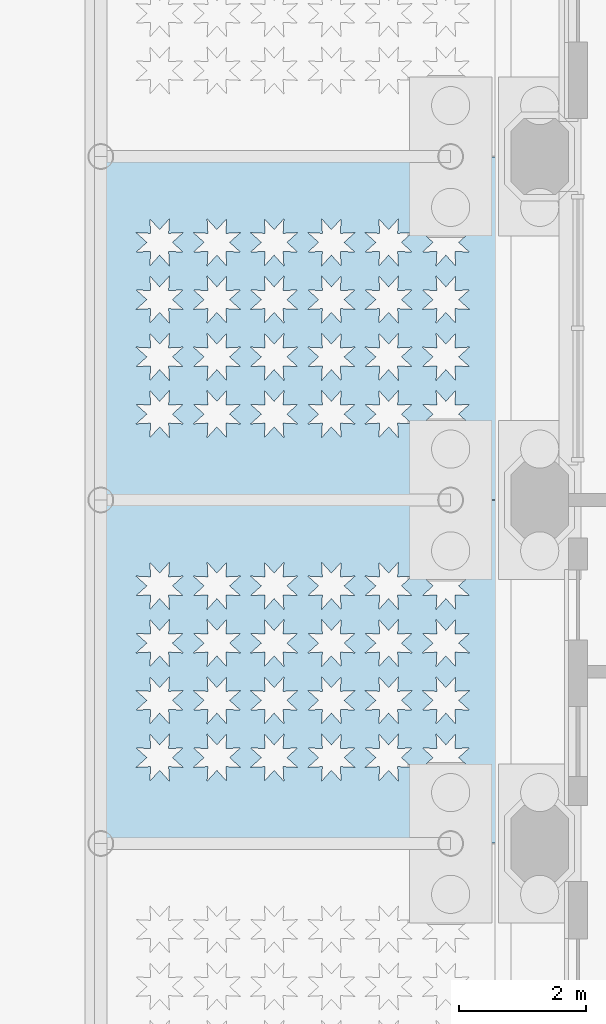
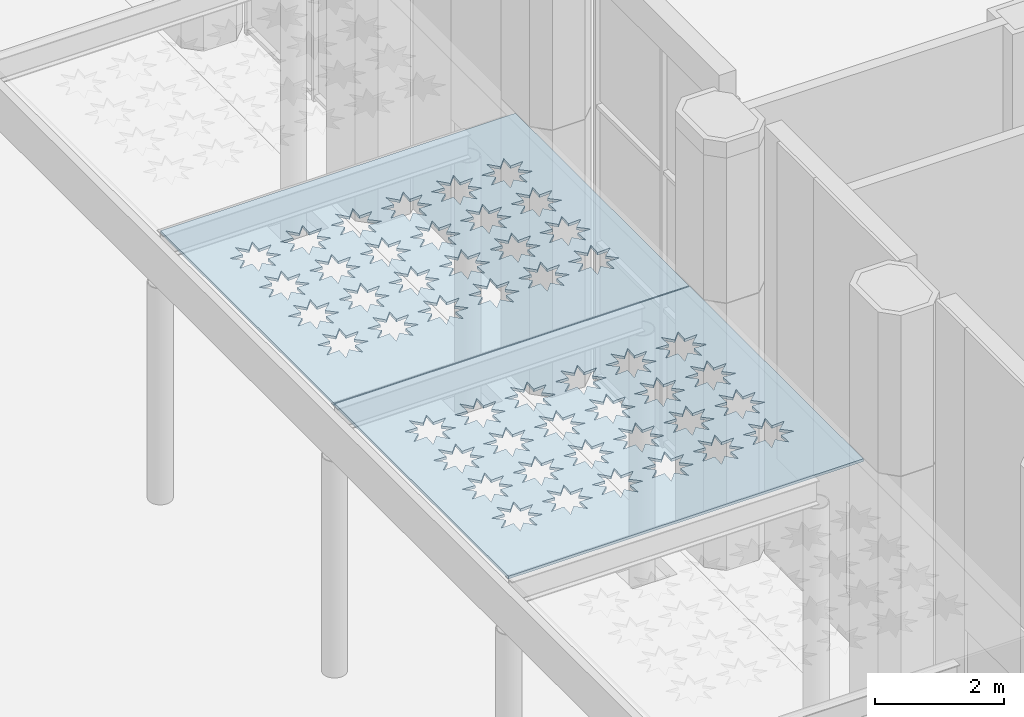
# One storey, part 23 of 54: 2 plates.
"""IFC4 building model written with IfcOpenShell, lengths in metres."""

import ifcopenshell
import ifcopenshell.guid

model = None  # the IFC model being written
_history = None  # IfcOwnerHistory: only IFC2X3 demands one
_inside = {}  # id of a spatial element -> (the spatial element, [elements in it])
_under = {}  # id of a project, library or spatial element -> (it, [spatial elements below it])
_declared = {}  # id of a project -> (the project, [libraries it declares])
_typed = {}  # id of a type object -> (the type object, [elements of that type])
_made_of = {}  # id of a material, layer set ... -> (it, [elements and type objects made of it])


def new_model(schema):
    """Start an empty IFC model of exactly this schema.

    Asked for "IFC4X3", IfcOpenShell would pick the latest addendum, in which some entities
    have other attributes; the version numbers below select the first issue.
    IFC2X3 requires an IfcOwnerHistory on every rooted entity: one is made here for all.
    """
    global model, _history
    if schema == "IFC4X3":
        model = ifcopenshell.file(schema_version=(4, 3, 0, 0))
    else:
        model = ifcopenshell.file(schema=schema)
    _inside.clear()
    _under.clear()
    _declared.clear()
    _typed.clear()
    _made_of.clear()
    _history = None
    if model.schema == "IFC2X3":
        org = make("IfcOrganization", Name="unknown")
        user = make(
            "IfcPersonAndOrganization",
            ThePerson=make("IfcPerson", FamilyName="unknown"),
            TheOrganization=org,
        )
        app = make(
            "IfcApplication",
            ApplicationDeveloper=org,
            Version="unknown",
            ApplicationFullName="unknown",
            ApplicationIdentifier="unknown",
        )
        _history = make(
            "IfcOwnerHistory",
            OwningUser=user,
            OwningApplication=app,
            ChangeAction="ADDED",
            CreationDate=0,
        )
    return model


def make(cls, **values):
    """One entity of the class cls with the attributes given. An attribute that is None is left unset."""
    return model.create_entity(
        cls, **{name: value for name, value in values.items() if value is not None}
    )


def rooted(cls, **values):
    """An entity with a GlobalId (a new one), such as an element, a storey or a relation."""
    return make(cls, GlobalId=ifcopenshell.guid.new(), OwnerHistory=_history, **values)


def si_unit(unit_type, name, prefix=None):
    """IfcSIUnit, for example si_unit("LENGTHUNIT", "METRE", prefix="MILLI")."""
    return make("IfcSIUnit", UnitType=unit_type, Prefix=prefix, Name=name)


def assignment(units):
    """IfcUnitAssignment: the units of a project."""
    return None if units is None else make("IfcUnitAssignment", Units=units)


def point(xyz):
    """IfcCartesianPoint."""
    return None if xyz is None else make("IfcCartesianPoint", Coordinates=xyz)


def direction(xyz):
    """IfcDirection."""
    return None if xyz is None else make("IfcDirection", DirectionRatios=xyz)


def frame(location, z_axis=None, x_axis=None):
    """IfcAxis2Placement3D, a coordinate frame: its origin and axes. An axis left out is left unset."""
    return make(
        "IfcAxis2Placement3D",
        Location=point(location),
        Axis=direction(z_axis),
        RefDirection=direction(x_axis),
    )


def origin():
    """The frame at (0, 0, 0) with its axes left unset."""
    return frame((0.0, 0.0, 0.0))


def place(relative_to, where):
    """IfcLocalPlacement: puts the frame where relative to a parent placement (None: the world)."""
    return make(
        "IfcLocalPlacement", PlacementRelTo=relative_to, RelativePlacement=where
    )


def context(
    kind, dimensions, precision=None, world=None, true_north=None, identifier=None
):
    """IfcGeometricRepresentationContext, for example the 3D "Model" context."""
    return make(
        "IfcGeometricRepresentationContext",
        ContextIdentifier=identifier,
        ContextType=kind,
        CoordinateSpaceDimension=dimensions,
        Precision=precision,
        WorldCoordinateSystem=world,
        TrueNorth=true_north,
    )


def subcontext(parent, identifier, kind, view, scale=None):
    """IfcGeometricRepresentationSubContext, for example "Body" below "Model"."""
    return make(
        "IfcGeometricRepresentationSubContext",
        ContextIdentifier=identifier,
        ContextType=kind,
        ParentContext=parent,
        TargetScale=scale,
        TargetView=view,
    )


def project(units=None, contexts=None):
    """IfcProject with its units and contexts."""
    return rooted(
        "IfcProject",
        Name="project",
        RepresentationContexts=contexts,
        UnitsInContext=assignment(units),
    )


def spatial(cls, under=None, at=None, **own):
    """A site, building, storey or space (cls), placed at a placement, below another one or the project."""
    s = rooted(cls, ObjectPlacement=at, **own)
    if under is not None:
        _under.setdefault(under.id(), (under, []))[1].append(s)
    return s


def polyline(points):
    """IfcPolyline through the points."""
    return make("IfcPolyline", Points=[point(p) for p in points])


def outline(outer, holes=None, kind="AREA"):
    """IfcArbitraryClosedProfileDef: a profile drawn as a closed curve; with holes, ...WithVoids."""
    if holes is None:
        return make("IfcArbitraryClosedProfileDef", ProfileType=kind, OuterCurve=outer)
    return make(
        "IfcArbitraryProfileDefWithVoids",
        ProfileType=kind,
        OuterCurve=outer,
        InnerCurves=holes,
    )


def extrude(swept, where, along, depth):
    """IfcExtrudedAreaSolid: the profile swept, set in the frame where, extruded along a direction by depth."""
    return make(
        "IfcExtrudedAreaSolid",
        SweptArea=swept,
        Position=where,
        ExtrudedDirection=direction(along),
        Depth=depth,
    )


def shape(context_of_items, identifier, shape_type, items):
    """IfcShapeRepresentation: the items that make up one representation, for example the "Body"."""
    return make(
        "IfcShapeRepresentation",
        ContextOfItems=context_of_items,
        RepresentationIdentifier=identifier,
        RepresentationType=shape_type,
        Items=items,
    )


def material(Name=None, Category=None):
    """IfcMaterial."""
    return make("IfcMaterial", Name=Name, Category=Category)


def layer(
    of_material, thickness, ventilated=None, Name=None, Category=None, Priority=None
):
    """IfcMaterialLayer: one layer of a wall or slab, of a material (None: an air gap)."""
    return make(
        "IfcMaterialLayer",
        Material=of_material,
        LayerThickness=thickness,
        IsVentilated=ventilated,
        Name=Name,
        Category=Category,
        Priority=Priority,
    )


def layer_set(layers, Name=None):
    """IfcMaterialLayerSet."""
    return make("IfcMaterialLayerSet", MaterialLayers=layers, LayerSetName=Name)


def made_of(thing, what):
    """Note that an element or type object is made of a material, layer set ...; save() writes the relation."""
    if what is not None:
        _made_of.setdefault(what.id(), (what, []))[1].append(thing)
    return thing


def type_object(cls, material=None, **own):
    """A type object (cls), such as IfcWallType, which elements share."""
    return made_of(rooted(cls, **own), material)


def element(
    cls,
    number,
    at=None,
    inside=None,
    cuts=None,
    type_object=None,
    material=None,
    context=None,
    identifier="Body",
    shape_type=None,
    held_by="IfcProductDefinitionShape",
    body=None,
    shapes=None,
    **own,
):
    """One element of the class cls, such as IfcWall. Its Tag is "e" and its number.

    at: its placement. inside: the storey or other place that contains it. cuts: it is an
    opening in that element (IfcRelVoidsElement). A single representation is given by context,
    identifier, shape_type and body (its items); several are given by shapes. held_by: the class
    of the entity that holds the representations. save() writes the other relations.
    """
    e = rooted(cls, Tag="e%d" % number, ObjectPlacement=at, **own)
    if body is not None:
        shapes = [shape(context, identifier, shape_type, body)]
    if shapes is not None:
        e.Representation = make(held_by, Representations=shapes)
    if inside is not None:
        _inside.setdefault(inside.id(), (inside, []))[1].append(e)
    if cuts is not None:
        rooted(
            "IfcRelVoidsElement", RelatingBuildingElement=cuts, RelatedOpeningElement=e
        )
    if type_object is not None:
        _typed.setdefault(type_object.id(), (type_object, []))[1].append(e)
    return made_of(e, material)


def aggregate(whole, parts):
    """IfcRelAggregates: a whole, such as a stair, and the parts it consists of."""
    return rooted("IfcRelAggregates", RelatingObject=whole, RelatedObjects=parts)


def save(model, path):
    """Write the relations noted so far, then the file.

    IfcRelAggregates (storeys below a building ...), IfcRelContainedInSpatialStructure (elements
    in a storey), IfcRelDefinesByType, IfcRelAssociatesMaterial and IfcRelDeclares: one each for
    every whole, place, type object, material and project.
    """
    for whole, parts in _under.values():
        aggregate(whole, parts)
    for where, things in _inside.values():
        rooted(
            "IfcRelContainedInSpatialStructure",
            RelatedElements=things,
            RelatingStructure=where,
        )
    for kind, things in _typed.values():
        rooted("IfcRelDefinesByType", RelatedObjects=things, RelatingType=kind)
    for what, things in _made_of.values():
        rooted("IfcRelAssociatesMaterial", RelatedObjects=things, RelatingMaterial=what)
    for by, libraries in _declared.values():
        rooted("IfcRelDeclares", RelatingContext=by, RelatedDefinitions=libraries)
    model.write(path)


model = new_model("IFC4")

# Units and contexts
model_context = context("Model", 3, precision=1e-05, world=origin(), true_north=direction((0.0, 1.0)))
body_context = subcontext(model_context, "Body", "Model", "MODEL_VIEW")
ifc_project = project(units=[si_unit("LENGTHUNIT", "METRE"), si_unit("AREAUNIT", "SQUARE_METRE"), si_unit("VOLUMEUNIT", "CUBIC_METRE"), si_unit("PLANEANGLEUNIT", "RADIAN"), si_unit("MASSUNIT", "GRAM", prefix="KILO")], contexts=[model_context])

# Site, building, storey
site_placement = place(None, origin())
site = spatial("IfcSite", under=ifc_project, at=site_placement, CompositionType="ELEMENT")
building_placement = place(site_placement, origin())
building = spatial("IfcBuilding", under=site, at=building_placement, Name="Tabaq Tower and Sports Hall", CompositionType="ELEMENT")
storey_placement = place(building_placement, origin())
storey = spatial("IfcBuildingStorey", under=building, at=storey_placement, Name="L00", CompositionType="ELEMENT", Elevation=0.0)

# Plates
ifc_material = material(Name="Stainless steel grade 1.4401 pierced panel", Category="steel")
ifc_layer = layer(ifc_material, 0.050048828125)
ifc_layer_set = layer_set([ifc_layer], Name="SCREEN PIERCED STAR PANEL 50")
plate_type = type_object("IfcPlateType", Name="SCREEN PIERCED STAR PANEL 50", PredefinedType="USERDEFINED", material=ifc_layer_set)
plate_1_placement = place(storey_placement, frame((0.0, 0.0, 5.0)))
element("IfcPlate", 1, at=plate_1_placement, inside=storey, type_object=plate_type, Name="Plaza canopy screen 2", ObjectType="SCREEN", PredefinedType="USERDEFINED", context=body_context, shape_type="SweptSolid", body=[
    extrude(outline(polyline([(57.89990234375, 5.409912109375), (64.25, 5.409912109375), (64.25, 10.7900390625), (57.89990234375, 10.7900390625), (57.89990234375, 5.409912109375)]), holes=[polyline([(59.02490234375, 6.75), (59.194580078125, 6.596923828125), (58.96630859375, 6.608642578125), (58.97802734375, 6.38037109375), (58.824951171875, 6.550048828125), (58.671875, 6.38037109375), (58.68359375, 6.608642578125), (58.455322265625, 6.596923828125), (58.625, 6.75), (58.455322265625, 6.903076171875), (58.68359375, 6.891357421875), (58.671875, 7.11962890625), (58.824951171875, 6.949951171875), (58.97802734375, 7.11962890625), (58.96630859375, 6.891357421875), (59.194580078125, 6.903076171875), (59.02490234375, 6.75)]), polyline([(59.02490234375, 7.64990234375), (59.194580078125, 7.496826171875), (58.96630859375, 7.508544921875), (58.97802734375, 7.280517578125), (58.824951171875, 7.449951171875), (58.671875, 7.280517578125), (58.68359375, 7.508544921875), (58.455322265625, 7.496826171875), (58.625, 7.64990234375), (58.455322265625, 7.802978515625), (58.68359375, 7.79150390625), (58.671875, 8.01953125), (58.824951171875, 7.85009765625), (58.97802734375, 8.01953125), (58.96630859375, 7.79150390625), (59.194580078125, 7.802978515625), (59.02490234375, 7.64990234375)]), polyline([(59.02490234375, 8.550048828125), (59.194580078125, 8.39697265625), (58.96630859375, 8.40869140625), (58.97802734375, 8.180419921875), (58.824951171875, 8.35009765625), (58.671875, 8.180419921875), (58.68359375, 8.40869140625), (58.455322265625, 8.39697265625), (58.625, 8.550048828125), (58.455322265625, 8.703125), (58.68359375, 8.69140625), (58.671875, 8.919677734375), (58.824951171875, 8.75), (58.97802734375, 8.919677734375), (58.96630859375, 8.69140625), (59.194580078125, 8.703125), (59.02490234375, 8.550048828125)]), polyline([(59.02490234375, 9.449951171875), (59.194580078125, 9.296875), (58.96630859375, 9.30859375), (58.97802734375, 9.080322265625), (58.824951171875, 9.25), (58.671875, 9.080322265625), (58.68359375, 9.30859375), (58.455322265625, 9.296875), (58.625, 9.449951171875), (58.455322265625, 9.60302734375), (58.68359375, 9.59130859375), (58.671875, 9.819580078125), (58.824951171875, 9.64990234375), (58.97802734375, 9.819580078125), (58.96630859375, 9.59130859375), (59.194580078125, 9.60302734375), (59.02490234375, 9.449951171875)]), polyline([(59.925048828125, 6.75), (60.094482421875, 6.596923828125), (59.866455078125, 6.608642578125), (59.878173828125, 6.38037109375), (59.72509765625, 6.550048828125), (59.572021484375, 6.38037109375), (59.58349609375, 6.608642578125), (59.35546875, 6.596923828125), (59.52490234375, 6.75), (59.35546875, 6.903076171875), (59.58349609375, 6.891357421875), (59.572021484375, 7.11962890625), (59.72509765625, 6.949951171875), (59.878173828125, 7.11962890625), (59.866455078125, 6.891357421875), (60.094482421875, 6.903076171875), (59.925048828125, 6.75)]), polyline([(59.925048828125, 7.64990234375), (60.094482421875, 7.496826171875), (59.866455078125, 7.508544921875), (59.878173828125, 7.280517578125), (59.72509765625, 7.449951171875), (59.572021484375, 7.280517578125), (59.58349609375, 7.508544921875), (59.35546875, 7.496826171875), (59.52490234375, 7.64990234375), (59.35546875, 7.802978515625), (59.58349609375, 7.79150390625), (59.572021484375, 8.01953125), (59.72509765625, 7.85009765625), (59.878173828125, 8.01953125), (59.866455078125, 7.79150390625), (60.094482421875, 7.802978515625), (59.925048828125, 7.64990234375)]), polyline([(59.925048828125, 8.550048828125), (60.094482421875, 8.39697265625), (59.866455078125, 8.40869140625), (59.878173828125, 8.180419921875), (59.72509765625, 8.35009765625), (59.572021484375, 8.180419921875), (59.58349609375, 8.40869140625), (59.35546875, 8.39697265625), (59.52490234375, 8.550048828125), (59.35546875, 8.703125), (59.58349609375, 8.69140625), (59.572021484375, 8.919677734375), (59.72509765625, 8.75), (59.878173828125, 8.919677734375), (59.866455078125, 8.69140625), (60.094482421875, 8.703125), (59.925048828125, 8.550048828125)]), polyline([(59.925048828125, 9.449951171875), (60.094482421875, 9.296875), (59.866455078125, 9.30859375), (59.878173828125, 9.080322265625), (59.72509765625, 9.25), (59.572021484375, 9.080322265625), (59.58349609375, 9.30859375), (59.35546875, 9.296875), (59.52490234375, 9.449951171875), (59.35546875, 9.60302734375), (59.58349609375, 9.59130859375), (59.572021484375, 9.819580078125), (59.72509765625, 9.64990234375), (59.878173828125, 9.819580078125), (59.866455078125, 9.59130859375), (60.094482421875, 9.60302734375), (59.925048828125, 9.449951171875)]), polyline([(60.824951171875, 6.75), (60.99462890625, 6.596923828125), (60.766357421875, 6.608642578125), (60.778076171875, 6.38037109375), (60.625, 6.550048828125), (60.471923828125, 6.38037109375), (60.483642578125, 6.608642578125), (60.25537109375, 6.596923828125), (60.425048828125, 6.75), (60.25537109375, 6.903076171875), (60.483642578125, 6.891357421875), (60.471923828125, 7.11962890625), (60.625, 6.949951171875), (60.778076171875, 7.11962890625), (60.766357421875, 6.891357421875), (60.99462890625, 6.903076171875), (60.824951171875, 6.75)]), polyline([(60.824951171875, 7.64990234375), (60.99462890625, 7.496826171875), (60.766357421875, 7.508544921875), (60.778076171875, 7.280517578125), (60.625, 7.449951171875), (60.471923828125, 7.280517578125), (60.483642578125, 7.508544921875), (60.25537109375, 7.496826171875), (60.425048828125, 7.64990234375), (60.25537109375, 7.802978515625), (60.483642578125, 7.79150390625), (60.471923828125, 8.01953125), (60.625, 7.85009765625), (60.778076171875, 8.01953125), (60.766357421875, 7.79150390625), (60.99462890625, 7.802978515625), (60.824951171875, 7.64990234375)]), polyline([(60.824951171875, 8.550048828125), (60.99462890625, 8.39697265625), (60.766357421875, 8.40869140625), (60.778076171875, 8.180419921875), (60.625, 8.35009765625), (60.471923828125, 8.180419921875), (60.483642578125, 8.40869140625), (60.25537109375, 8.39697265625), (60.425048828125, 8.550048828125), (60.25537109375, 8.703125), (60.483642578125, 8.69140625), (60.471923828125, 8.919677734375), (60.625, 8.75), (60.778076171875, 8.919677734375), (60.766357421875, 8.69140625), (60.99462890625, 8.703125), (60.824951171875, 8.550048828125)]), polyline([(60.824951171875, 9.449951171875), (60.99462890625, 9.296875), (60.766357421875, 9.30859375), (60.778076171875, 9.080322265625), (60.625, 9.25), (60.471923828125, 9.080322265625), (60.483642578125, 9.30859375), (60.25537109375, 9.296875), (60.425048828125, 9.449951171875), (60.25537109375, 9.60302734375), (60.483642578125, 9.59130859375), (60.471923828125, 9.819580078125), (60.625, 9.64990234375), (60.778076171875, 9.819580078125), (60.766357421875, 9.59130859375), (60.99462890625, 9.60302734375), (60.824951171875, 9.449951171875)]), polyline([(61.72509765625, 6.75), (61.89453125, 6.596923828125), (61.66650390625, 6.608642578125), (61.677978515625, 6.38037109375), (61.52490234375, 6.550048828125), (61.371826171875, 6.38037109375), (61.383544921875, 6.608642578125), (61.155517578125, 6.596923828125), (61.324951171875, 6.75), (61.155517578125, 6.903076171875), (61.383544921875, 6.891357421875), (61.371826171875, 7.11962890625), (61.52490234375, 6.949951171875), (61.677978515625, 7.11962890625), (61.66650390625, 6.891357421875), (61.89453125, 6.903076171875), (61.72509765625, 6.75)]), polyline([(61.72509765625, 7.64990234375), (61.89453125, 7.496826171875), (61.66650390625, 7.508544921875), (61.677978515625, 7.280517578125), (61.52490234375, 7.449951171875), (61.371826171875, 7.280517578125), (61.383544921875, 7.508544921875), (61.155517578125, 7.496826171875), (61.324951171875, 7.64990234375), (61.155517578125, 7.802978515625), (61.383544921875, 7.79150390625), (61.371826171875, 8.01953125), (61.52490234375, 7.85009765625), (61.677978515625, 8.01953125), (61.66650390625, 7.79150390625), (61.89453125, 7.802978515625), (61.72509765625, 7.64990234375)]), polyline([(61.72509765625, 8.550048828125), (61.89453125, 8.39697265625), (61.66650390625, 8.40869140625), (61.677978515625, 8.180419921875), (61.52490234375, 8.35009765625), (61.371826171875, 8.180419921875), (61.383544921875, 8.40869140625), (61.155517578125, 8.39697265625), (61.324951171875, 8.550048828125), (61.155517578125, 8.703125), (61.383544921875, 8.69140625), (61.371826171875, 8.919677734375), (61.52490234375, 8.75), (61.677978515625, 8.919677734375), (61.66650390625, 8.69140625), (61.89453125, 8.703125), (61.72509765625, 8.550048828125)]), polyline([(61.72509765625, 9.449951171875), (61.89453125, 9.296875), (61.66650390625, 9.30859375), (61.677978515625, 9.080322265625), (61.52490234375, 9.25), (61.371826171875, 9.080322265625), (61.383544921875, 9.30859375), (61.155517578125, 9.296875), (61.324951171875, 9.449951171875), (61.155517578125, 9.60302734375), (61.383544921875, 9.59130859375), (61.371826171875, 9.819580078125), (61.52490234375, 9.64990234375), (61.677978515625, 9.819580078125), (61.66650390625, 9.59130859375), (61.89453125, 9.60302734375), (61.72509765625, 9.449951171875)]), polyline([(62.625, 6.75), (62.794677734375, 6.596923828125), (62.56640625, 6.608642578125), (62.578125, 6.38037109375), (62.425048828125, 6.550048828125), (62.27197265625, 6.38037109375), (62.28369140625, 6.608642578125), (62.055419921875, 6.596923828125), (62.22509765625, 6.75), (62.055419921875, 6.903076171875), (62.28369140625, 6.891357421875), (62.27197265625, 7.11962890625), (62.425048828125, 6.949951171875), (62.578125, 7.11962890625), (62.56640625, 6.891357421875), (62.794677734375, 6.903076171875), (62.625, 6.75)]), polyline([(62.625, 7.64990234375), (62.794677734375, 7.496826171875), (62.56640625, 7.508544921875), (62.578125, 7.280517578125), (62.425048828125, 7.449951171875), (62.27197265625, 7.280517578125), (62.28369140625, 7.508544921875), (62.055419921875, 7.496826171875), (62.22509765625, 7.64990234375), (62.055419921875, 7.802978515625), (62.28369140625, 7.79150390625), (62.27197265625, 8.01953125), (62.425048828125, 7.85009765625), (62.578125, 8.01953125), (62.56640625, 7.79150390625), (62.794677734375, 7.802978515625), (62.625, 7.64990234375)]), polyline([(62.625, 8.550048828125), (62.794677734375, 8.39697265625), (62.56640625, 8.40869140625), (62.578125, 8.180419921875), (62.425048828125, 8.35009765625), (62.27197265625, 8.180419921875), (62.28369140625, 8.40869140625), (62.055419921875, 8.39697265625), (62.22509765625, 8.550048828125), (62.055419921875, 8.703125), (62.28369140625, 8.69140625), (62.27197265625, 8.919677734375), (62.425048828125, 8.75), (62.578125, 8.919677734375), (62.56640625, 8.69140625), (62.794677734375, 8.703125), (62.625, 8.550048828125)]), polyline([(62.625, 9.449951171875), (62.794677734375, 9.296875), (62.56640625, 9.30859375), (62.578125, 9.080322265625), (62.425048828125, 9.25), (62.27197265625, 9.080322265625), (62.28369140625, 9.30859375), (62.055419921875, 9.296875), (62.22509765625, 9.449951171875), (62.055419921875, 9.60302734375), (62.28369140625, 9.59130859375), (62.27197265625, 9.819580078125), (62.425048828125, 9.64990234375), (62.578125, 9.819580078125), (62.56640625, 9.59130859375), (62.794677734375, 9.60302734375), (62.625, 9.449951171875)]), polyline([(63.52490234375, 6.75), (63.694580078125, 6.596923828125), (63.46630859375, 6.608642578125), (63.47802734375, 6.38037109375), (63.324951171875, 6.550048828125), (63.171875, 6.38037109375), (63.18359375, 6.608642578125), (62.955322265625, 6.596923828125), (63.125, 6.75), (62.955322265625, 6.903076171875), (63.18359375, 6.891357421875), (63.171875, 7.11962890625), (63.324951171875, 6.949951171875), (63.47802734375, 7.11962890625), (63.46630859375, 6.891357421875), (63.694580078125, 6.903076171875), (63.52490234375, 6.75)]), polyline([(63.52490234375, 7.64990234375), (63.694580078125, 7.496826171875), (63.46630859375, 7.508544921875), (63.47802734375, 7.280517578125), (63.324951171875, 7.449951171875), (63.171875, 7.280517578125), (63.18359375, 7.508544921875), (62.955322265625, 7.496826171875), (63.125, 7.64990234375), (62.955322265625, 7.802978515625), (63.18359375, 7.79150390625), (63.171875, 8.01953125), (63.324951171875, 7.85009765625), (63.47802734375, 8.01953125), (63.46630859375, 7.79150390625), (63.694580078125, 7.802978515625), (63.52490234375, 7.64990234375)]), polyline([(63.52490234375, 8.550048828125), (63.694580078125, 8.39697265625), (63.46630859375, 8.40869140625), (63.47802734375, 8.180419921875), (63.324951171875, 8.35009765625), (63.171875, 8.180419921875), (63.18359375, 8.40869140625), (62.955322265625, 8.39697265625), (63.125, 8.550048828125), (62.955322265625, 8.703125), (63.18359375, 8.69140625), (63.171875, 8.919677734375), (63.324951171875, 8.75), (63.47802734375, 8.919677734375), (63.46630859375, 8.69140625), (63.694580078125, 8.703125), (63.52490234375, 8.550048828125)]), polyline([(63.52490234375, 9.449951171875), (63.694580078125, 9.296875), (63.46630859375, 9.30859375), (63.47802734375, 9.080322265625), (63.324951171875, 9.25), (63.171875, 9.080322265625), (63.18359375, 9.30859375), (62.955322265625, 9.296875), (63.125, 9.449951171875), (62.955322265625, 9.60302734375), (63.18359375, 9.59130859375), (63.171875, 9.819580078125), (63.324951171875, 9.64990234375), (63.47802734375, 9.819580078125), (63.46630859375, 9.59130859375), (63.694580078125, 9.60302734375), (63.52490234375, 9.449951171875)])]), origin(), (0.0, 0.0, 1.0), 0.050048828125),
])
plate_2_placement = place(storey_placement, frame((0.0, 0.0, 5.0)))
element("IfcPlate", 2, at=plate_2_placement, inside=storey, type_object=plate_type, Name="Plaza canopy screen 3", ObjectType="SCREEN", PredefinedType="USERDEFINED", context=body_context, shape_type="SweptSolid", body=[
    extrude(outline(polyline([(57.89990234375, 10.81005859375), (64.25, 10.81005859375), (64.25, 16.18994140625), (57.89990234375, 16.18994140625), (57.89990234375, 10.81005859375)]), holes=[polyline([(59.02490234375, 12.14990234375), (59.194580078125, 11.996826171875), (58.96630859375, 12.008544921875), (58.97802734375, 11.780517578125), (58.824951171875, 11.949951171875), (58.671875, 11.780517578125), (58.68359375, 12.008544921875), (58.455322265625, 11.996826171875), (58.625, 12.14990234375), (58.455322265625, 12.302978515625), (58.68359375, 12.29150390625), (58.671875, 12.51953125), (58.824951171875, 12.35009765625), (58.97802734375, 12.51953125), (58.96630859375, 12.29150390625), (59.194580078125, 12.302978515625), (59.02490234375, 12.14990234375)]), polyline([(59.02490234375, 13.050048828125), (59.194580078125, 12.89697265625), (58.96630859375, 12.90869140625), (58.97802734375, 12.680419921875), (58.824951171875, 12.85009765625), (58.671875, 12.680419921875), (58.68359375, 12.90869140625), (58.455322265625, 12.89697265625), (58.625, 13.050048828125), (58.455322265625, 13.203125), (58.68359375, 13.19140625), (58.671875, 13.419677734375), (58.824951171875, 13.25), (58.97802734375, 13.419677734375), (58.96630859375, 13.19140625), (59.194580078125, 13.203125), (59.02490234375, 13.050048828125)]), polyline([(59.02490234375, 13.949951171875), (59.194580078125, 13.796875), (58.96630859375, 13.80859375), (58.97802734375, 13.580322265625), (58.824951171875, 13.75), (58.671875, 13.580322265625), (58.68359375, 13.80859375), (58.455322265625, 13.796875), (58.625, 13.949951171875), (58.455322265625, 14.10302734375), (58.68359375, 14.09130859375), (58.671875, 14.319580078125), (58.824951171875, 14.14990234375), (58.97802734375, 14.319580078125), (58.96630859375, 14.09130859375), (59.194580078125, 14.10302734375), (59.02490234375, 13.949951171875)]), polyline([(59.02490234375, 14.85009765625), (59.194580078125, 14.697021484375), (58.96630859375, 14.70849609375), (58.97802734375, 14.48046875), (58.824951171875, 14.64990234375), (58.671875, 14.48046875), (58.68359375, 14.70849609375), (58.455322265625, 14.697021484375), (58.625, 14.85009765625), (58.455322265625, 15.003173828125), (58.68359375, 14.991455078125), (58.671875, 15.219482421875), (58.824951171875, 15.050048828125), (58.97802734375, 15.219482421875), (58.96630859375, 14.991455078125), (59.194580078125, 15.003173828125), (59.02490234375, 14.85009765625)]), polyline([(59.925048828125, 12.14990234375), (60.094482421875, 11.996826171875), (59.866455078125, 12.008544921875), (59.878173828125, 11.780517578125), (59.72509765625, 11.949951171875), (59.572021484375, 11.780517578125), (59.58349609375, 12.008544921875), (59.35546875, 11.996826171875), (59.52490234375, 12.14990234375), (59.35546875, 12.302978515625), (59.58349609375, 12.29150390625), (59.572021484375, 12.51953125), (59.72509765625, 12.35009765625), (59.878173828125, 12.51953125), (59.866455078125, 12.29150390625), (60.094482421875, 12.302978515625), (59.925048828125, 12.14990234375)]), polyline([(59.925048828125, 13.050048828125), (60.094482421875, 12.89697265625), (59.866455078125, 12.90869140625), (59.878173828125, 12.680419921875), (59.72509765625, 12.85009765625), (59.572021484375, 12.680419921875), (59.58349609375, 12.90869140625), (59.35546875, 12.89697265625), (59.52490234375, 13.050048828125), (59.35546875, 13.203125), (59.58349609375, 13.19140625), (59.572021484375, 13.419677734375), (59.72509765625, 13.25), (59.878173828125, 13.419677734375), (59.866455078125, 13.19140625), (60.094482421875, 13.203125), (59.925048828125, 13.050048828125)]), polyline([(59.925048828125, 13.949951171875), (60.094482421875, 13.796875), (59.866455078125, 13.80859375), (59.878173828125, 13.580322265625), (59.72509765625, 13.75), (59.572021484375, 13.580322265625), (59.58349609375, 13.80859375), (59.35546875, 13.796875), (59.52490234375, 13.949951171875), (59.35546875, 14.10302734375), (59.58349609375, 14.09130859375), (59.572021484375, 14.319580078125), (59.72509765625, 14.14990234375), (59.878173828125, 14.319580078125), (59.866455078125, 14.09130859375), (60.094482421875, 14.10302734375), (59.925048828125, 13.949951171875)]), polyline([(59.925048828125, 14.85009765625), (60.094482421875, 14.697021484375), (59.866455078125, 14.70849609375), (59.878173828125, 14.48046875), (59.72509765625, 14.64990234375), (59.572021484375, 14.48046875), (59.58349609375, 14.70849609375), (59.35546875, 14.697021484375), (59.52490234375, 14.85009765625), (59.35546875, 15.003173828125), (59.58349609375, 14.991455078125), (59.572021484375, 15.219482421875), (59.72509765625, 15.050048828125), (59.878173828125, 15.219482421875), (59.866455078125, 14.991455078125), (60.094482421875, 15.003173828125), (59.925048828125, 14.85009765625)]), polyline([(60.824951171875, 12.14990234375), (60.99462890625, 11.996826171875), (60.766357421875, 12.008544921875), (60.778076171875, 11.780517578125), (60.625, 11.949951171875), (60.471923828125, 11.780517578125), (60.483642578125, 12.008544921875), (60.25537109375, 11.996826171875), (60.425048828125, 12.14990234375), (60.25537109375, 12.302978515625), (60.483642578125, 12.29150390625), (60.471923828125, 12.51953125), (60.625, 12.35009765625), (60.778076171875, 12.51953125), (60.766357421875, 12.29150390625), (60.99462890625, 12.302978515625), (60.824951171875, 12.14990234375)]), polyline([(60.824951171875, 13.050048828125), (60.99462890625, 12.89697265625), (60.766357421875, 12.90869140625), (60.778076171875, 12.680419921875), (60.625, 12.85009765625), (60.471923828125, 12.680419921875), (60.483642578125, 12.90869140625), (60.25537109375, 12.89697265625), (60.425048828125, 13.050048828125), (60.25537109375, 13.203125), (60.483642578125, 13.19140625), (60.471923828125, 13.419677734375), (60.625, 13.25), (60.778076171875, 13.419677734375), (60.766357421875, 13.19140625), (60.99462890625, 13.203125), (60.824951171875, 13.050048828125)]), polyline([(60.824951171875, 13.949951171875), (60.99462890625, 13.796875), (60.766357421875, 13.80859375), (60.778076171875, 13.580322265625), (60.625, 13.75), (60.471923828125, 13.580322265625), (60.483642578125, 13.80859375), (60.25537109375, 13.796875), (60.425048828125, 13.949951171875), (60.25537109375, 14.10302734375), (60.483642578125, 14.09130859375), (60.471923828125, 14.319580078125), (60.625, 14.14990234375), (60.778076171875, 14.319580078125), (60.766357421875, 14.09130859375), (60.99462890625, 14.10302734375), (60.824951171875, 13.949951171875)]), polyline([(60.824951171875, 14.85009765625), (60.99462890625, 14.697021484375), (60.766357421875, 14.70849609375), (60.778076171875, 14.48046875), (60.625, 14.64990234375), (60.471923828125, 14.48046875), (60.483642578125, 14.70849609375), (60.25537109375, 14.697021484375), (60.425048828125, 14.85009765625), (60.25537109375, 15.003173828125), (60.483642578125, 14.991455078125), (60.471923828125, 15.219482421875), (60.625, 15.050048828125), (60.778076171875, 15.219482421875), (60.766357421875, 14.991455078125), (60.99462890625, 15.003173828125), (60.824951171875, 14.85009765625)]), polyline([(61.72509765625, 12.14990234375), (61.89453125, 11.996826171875), (61.66650390625, 12.008544921875), (61.677978515625, 11.780517578125), (61.52490234375, 11.949951171875), (61.371826171875, 11.780517578125), (61.383544921875, 12.008544921875), (61.155517578125, 11.996826171875), (61.324951171875, 12.14990234375), (61.155517578125, 12.302978515625), (61.383544921875, 12.29150390625), (61.371826171875, 12.51953125), (61.52490234375, 12.35009765625), (61.677978515625, 12.51953125), (61.66650390625, 12.29150390625), (61.89453125, 12.302978515625), (61.72509765625, 12.14990234375)]), polyline([(61.72509765625, 13.050048828125), (61.89453125, 12.89697265625), (61.66650390625, 12.90869140625), (61.677978515625, 12.680419921875), (61.52490234375, 12.85009765625), (61.371826171875, 12.680419921875), (61.383544921875, 12.90869140625), (61.155517578125, 12.89697265625), (61.324951171875, 13.050048828125), (61.155517578125, 13.203125), (61.383544921875, 13.19140625), (61.371826171875, 13.419677734375), (61.52490234375, 13.25), (61.677978515625, 13.419677734375), (61.66650390625, 13.19140625), (61.89453125, 13.203125), (61.72509765625, 13.050048828125)]), polyline([(61.72509765625, 13.949951171875), (61.89453125, 13.796875), (61.66650390625, 13.80859375), (61.677978515625, 13.580322265625), (61.52490234375, 13.75), (61.371826171875, 13.580322265625), (61.383544921875, 13.80859375), (61.155517578125, 13.796875), (61.324951171875, 13.949951171875), (61.155517578125, 14.10302734375), (61.383544921875, 14.09130859375), (61.371826171875, 14.319580078125), (61.52490234375, 14.14990234375), (61.677978515625, 14.319580078125), (61.66650390625, 14.09130859375), (61.89453125, 14.10302734375), (61.72509765625, 13.949951171875)]), polyline([(61.72509765625, 14.85009765625), (61.89453125, 14.697021484375), (61.66650390625, 14.70849609375), (61.677978515625, 14.48046875), (61.52490234375, 14.64990234375), (61.371826171875, 14.48046875), (61.383544921875, 14.70849609375), (61.155517578125, 14.697021484375), (61.324951171875, 14.85009765625), (61.155517578125, 15.003173828125), (61.383544921875, 14.991455078125), (61.371826171875, 15.219482421875), (61.52490234375, 15.050048828125), (61.677978515625, 15.219482421875), (61.66650390625, 14.991455078125), (61.89453125, 15.003173828125), (61.72509765625, 14.85009765625)]), polyline([(62.625, 12.14990234375), (62.794677734375, 11.996826171875), (62.56640625, 12.008544921875), (62.578125, 11.780517578125), (62.425048828125, 11.949951171875), (62.27197265625, 11.780517578125), (62.28369140625, 12.008544921875), (62.055419921875, 11.996826171875), (62.22509765625, 12.14990234375), (62.055419921875, 12.302978515625), (62.28369140625, 12.29150390625), (62.27197265625, 12.51953125), (62.425048828125, 12.35009765625), (62.578125, 12.51953125), (62.56640625, 12.29150390625), (62.794677734375, 12.302978515625), (62.625, 12.14990234375)]), polyline([(62.625, 13.050048828125), (62.794677734375, 12.89697265625), (62.56640625, 12.90869140625), (62.578125, 12.680419921875), (62.425048828125, 12.85009765625), (62.27197265625, 12.680419921875), (62.28369140625, 12.90869140625), (62.055419921875, 12.89697265625), (62.22509765625, 13.050048828125), (62.055419921875, 13.203125), (62.28369140625, 13.19140625), (62.27197265625, 13.419677734375), (62.425048828125, 13.25), (62.578125, 13.419677734375), (62.56640625, 13.19140625), (62.794677734375, 13.203125), (62.625, 13.050048828125)]), polyline([(62.625, 13.949951171875), (62.794677734375, 13.796875), (62.56640625, 13.80859375), (62.578125, 13.580322265625), (62.425048828125, 13.75), (62.27197265625, 13.580322265625), (62.28369140625, 13.80859375), (62.055419921875, 13.796875), (62.22509765625, 13.949951171875), (62.055419921875, 14.10302734375), (62.28369140625, 14.09130859375), (62.27197265625, 14.319580078125), (62.425048828125, 14.14990234375), (62.578125, 14.319580078125), (62.56640625, 14.09130859375), (62.794677734375, 14.10302734375), (62.625, 13.949951171875)]), polyline([(62.625, 14.85009765625), (62.794677734375, 14.697021484375), (62.56640625, 14.70849609375), (62.578125, 14.48046875), (62.425048828125, 14.64990234375), (62.27197265625, 14.48046875), (62.28369140625, 14.70849609375), (62.055419921875, 14.697021484375), (62.22509765625, 14.85009765625), (62.055419921875, 15.003173828125), (62.28369140625, 14.991455078125), (62.27197265625, 15.219482421875), (62.425048828125, 15.050048828125), (62.578125, 15.219482421875), (62.56640625, 14.991455078125), (62.794677734375, 15.003173828125), (62.625, 14.85009765625)]), polyline([(63.52490234375, 12.14990234375), (63.694580078125, 11.996826171875), (63.46630859375, 12.008544921875), (63.47802734375, 11.780517578125), (63.324951171875, 11.949951171875), (63.171875, 11.780517578125), (63.18359375, 12.008544921875), (62.955322265625, 11.996826171875), (63.125, 12.14990234375), (62.955322265625, 12.302978515625), (63.18359375, 12.29150390625), (63.171875, 12.51953125), (63.324951171875, 12.35009765625), (63.47802734375, 12.51953125), (63.46630859375, 12.29150390625), (63.694580078125, 12.302978515625), (63.52490234375, 12.14990234375)]), polyline([(63.52490234375, 13.050048828125), (63.694580078125, 12.89697265625), (63.46630859375, 12.90869140625), (63.47802734375, 12.680419921875), (63.324951171875, 12.85009765625), (63.171875, 12.680419921875), (63.18359375, 12.90869140625), (62.955322265625, 12.89697265625), (63.125, 13.050048828125), (62.955322265625, 13.203125), (63.18359375, 13.19140625), (63.171875, 13.419677734375), (63.324951171875, 13.25), (63.47802734375, 13.419677734375), (63.46630859375, 13.19140625), (63.694580078125, 13.203125), (63.52490234375, 13.050048828125)]), polyline([(63.52490234375, 13.949951171875), (63.694580078125, 13.796875), (63.46630859375, 13.80859375), (63.47802734375, 13.580322265625), (63.324951171875, 13.75), (63.171875, 13.580322265625), (63.18359375, 13.80859375), (62.955322265625, 13.796875), (63.125, 13.949951171875), (62.955322265625, 14.10302734375), (63.18359375, 14.09130859375), (63.171875, 14.319580078125), (63.324951171875, 14.14990234375), (63.47802734375, 14.319580078125), (63.46630859375, 14.09130859375), (63.694580078125, 14.10302734375), (63.52490234375, 13.949951171875)]), polyline([(63.52490234375, 14.85009765625), (63.694580078125, 14.697021484375), (63.46630859375, 14.70849609375), (63.47802734375, 14.48046875), (63.324951171875, 14.64990234375), (63.171875, 14.48046875), (63.18359375, 14.70849609375), (62.955322265625, 14.697021484375), (63.125, 14.85009765625), (62.955322265625, 15.003173828125), (63.18359375, 14.991455078125), (63.171875, 15.219482421875), (63.324951171875, 15.050048828125), (63.47802734375, 15.219482421875), (63.46630859375, 14.991455078125), (63.694580078125, 15.003173828125), (63.52490234375, 14.85009765625)])]), origin(), (0.0, 0.0, 1.0), 0.050048828125),
])

save(model, "model.ifc")
